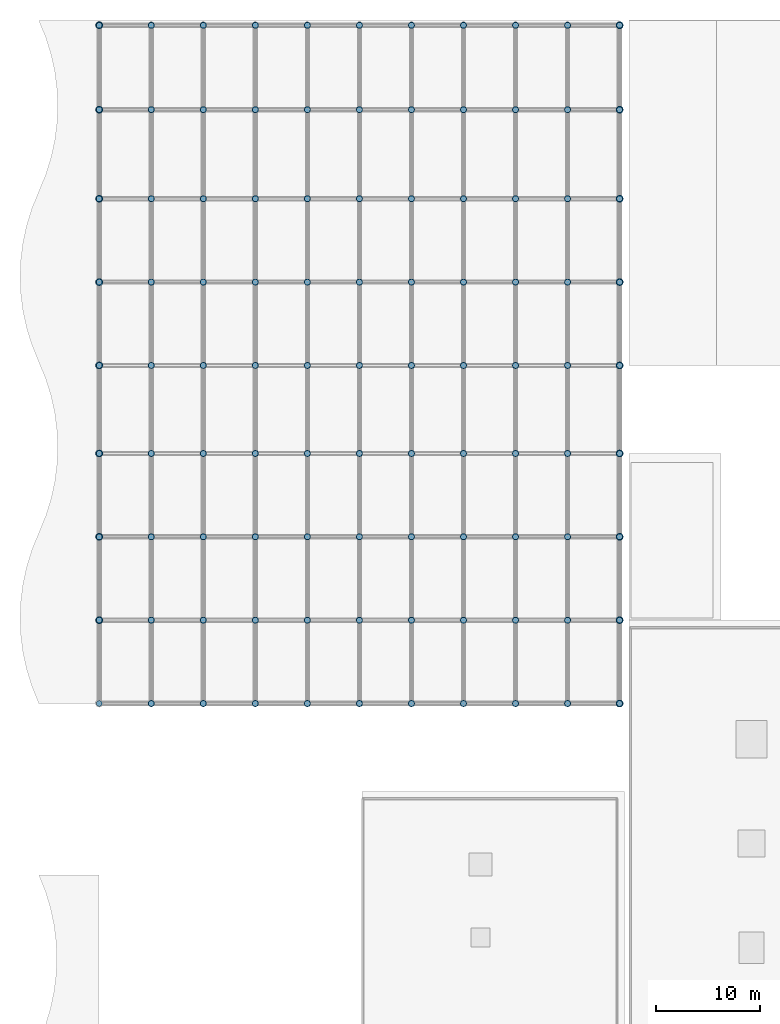
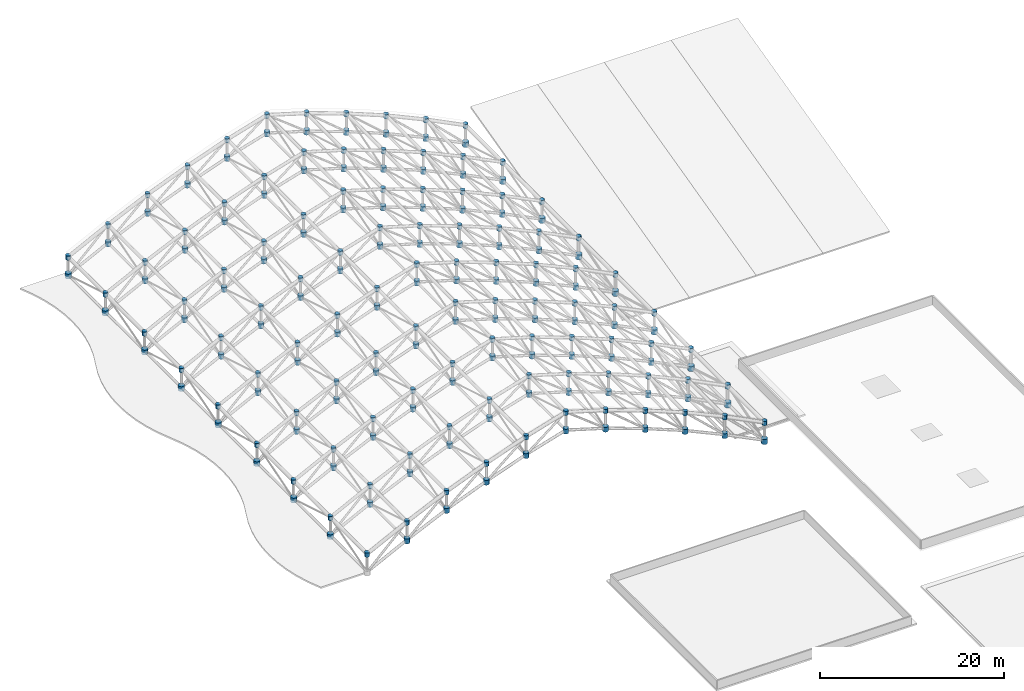
# One storey, part 11 of 11: 197 discrete accessories.
"""IFC4 building model written with IfcOpenShell, lengths in metres."""

from ifc_helpers import new_model, si_unit, direction, frame, origin, origin_2d, place, context, subcontext, project, spatial, circle, extrude, material, material_profile, profile_set, type_object, element, save


model = new_model("IFC4")

# Units and contexts
model_context = context("Model", 3, precision=1e-05, world=origin(), true_north=direction((0.0, 1.0)))
body_context = subcontext(model_context, "Body", "Model", "MODEL_VIEW")
ifc_project = project(units=[si_unit("LENGTHUNIT", "METRE"), si_unit("AREAUNIT", "SQUARE_METRE"), si_unit("VOLUMEUNIT", "CUBIC_METRE"), si_unit("PLANEANGLEUNIT", "RADIAN"), si_unit("MASSUNIT", "GRAM", prefix="KILO")], contexts=[model_context])

# Site, building, storey
site_placement = place(None, origin())
site = spatial("IfcSite", under=ifc_project, at=site_placement, CompositionType="ELEMENT")
building_placement = place(site_placement, origin())
building = spatial("IfcBuilding", under=site, at=building_placement, Name="Kazehara Bluff Congress Hotel", CompositionType="ELEMENT")
storey_placement = place(building_placement, frame((0.0, 0.0, 50.39990234375)))
storey = spatial("IfcBuildingStorey", under=building, at=storey_placement, Name="RF", CompositionType="ELEMENT", Elevation=50.39990234375)

# Discrete accessories
ifc_material_1 = material(Name="Steel SN490B", Category="steel")
ifc_material_profile_1 = material_profile(ifc_material_1, circle(Radius=0.280029296875, at=origin_2d()))
ifc_profile_set_1 = profile_set([ifc_material_profile_1], Name="Steel SN490B")
discrete_accessory_type_1 = type_object("IfcDiscreteAccessoryType", Name="TP-SFN-01", PredefinedType="BRACKET", material=ifc_profile_set_1)
for number, where, z_axis, x_axis, name in (
    (1, (8.39990234375, 48.449951171875, -28.47998046875), (0.0, 0.0, 1.0), (1.0, 0.0, 0.0), "Space frame node SFN-01 T-00-00"),
    (2, (8.39990234375, 56.449951171875, -28.47998046875), (0.0, 0.0, 1.0), (1.0, 0.0, 0.0), "Space frame node SFN-01 T-00-01"),
    (3, (8.39990234375, 64.449951171875, -28.47998046875), (0.0, 0.0, 1.0), (1.0, 0.0, 0.0), "Space frame node SFN-01 T-00-02"),
    (4, (8.39990234375, 72.449951171875, -28.47998046875), (0.0, 0.0, 1.0), (1.0, 0.0, 0.0), "Space frame node SFN-01 T-00-03"),
    (5, (8.39990234375, 80.89990234375, -28.47998046875), (0.0, 0.0, 1.0), (1.0, 0.0, 0.0), "Space frame node SFN-01 T-00-04"),
    (6, (8.39990234375, 88.89990234375, -28.47998046875), (0.0, 0.0, 1.0), (1.0, 0.0, 0.0), "Space frame node SFN-01 T-00-05"),
    (7, (8.39990234375, 96.89990234375, -28.47998046875), (0.0, 0.0, 1.0), (1.0, 0.0, 0.0), "Space frame node SFN-01 T-00-06"),
    (8, (8.39990234375, 105.449951171875, -28.47998046875), (0.0, 0.0, 1.0), (1.0, 0.0, 0.0), "Space frame node SFN-01 T-00-07"),
    (9, (8.39990234375, 113.550048828125, -28.47998046875), (0.0, 0.0, 1.0), (1.0, 0.0, 0.0), "Space frame node SFN-01 T-00-08"),
    (10, (13.39501953125, 48.449951171875, -25.97998046875), (0.0, 0.0, 1.0), (1.0, 0.0, 0.0), "Space frame node SFN-01 T-01-00"),
    (11, (13.39501953125, 56.449951171875, -25.97998046875), (0.0, 0.0, 1.0), (1.0, 0.0, 0.0), "Space frame node SFN-01 T-01-01"),
    (12, (13.39501953125, 64.449951171875, -25.97998046875), (0.0, 0.0, 1.0), (1.0, 0.0, 0.0), "Space frame node SFN-01 T-01-02"),
    (13, (13.39501953125, 72.449951171875, -25.97998046875), (0.0, 0.0, 1.0), (1.0, 0.0, 0.0), "Space frame node SFN-01 T-01-03"),
    (14, (13.39501953125, 80.89990234375, -25.97998046875), (0.0, 0.0, 1.0), (1.0, 0.0, 0.0), "Space frame node SFN-01 T-01-04"),
    (15, (13.39501953125, 88.89990234375, -25.97998046875), (0.0, 0.0, 1.0), (1.0, 0.0, 0.0), "Space frame node SFN-01 T-01-05"),
    (16, (13.39501953125, 96.89990234375, -25.97998046875), (0.0, 0.0, 1.0), (1.0, 0.0, 0.0), "Space frame node SFN-01 T-01-06"),
    (17, (13.39501953125, 105.449951171875, -25.97998046875), (0.0, 0.0, 1.0), (1.0, 0.0, 0.0), "Space frame node SFN-01 T-01-07"),
    (18, (13.39501953125, 113.550048828125, -25.97998046875), (0.0, 0.0, 1.0), (1.0, 0.0, 0.0), "Space frame node SFN-01 T-01-08"),
    (19, (18.389892578125, 48.449951171875, -23.679931640625), (0.0, 0.0, 1.0), (1.0, 0.0, 0.0), "Space frame node SFN-01 T-02-00"),
    (20, (18.389892578125, 56.449951171875, -23.679931640625), (0.0, 0.0, 1.0), (1.0, 0.0, 0.0), "Space frame node SFN-01 T-02-01"),
    (21, (18.389892578125, 64.449951171875, -23.679931640625), (0.0, 0.0, 1.0), (1.0, 0.0, 0.0), "Space frame node SFN-01 T-02-02"),
    (22, (18.389892578125, 72.449951171875, -23.679931640625), (0.0, 0.0, 1.0), (1.0, 0.0, 0.0), "Space frame node SFN-01 T-02-03"),
    (23, (18.389892578125, 80.89990234375, -23.679931640625), (0.0, 0.0, 1.0), (1.0, 0.0, 0.0), "Space frame node SFN-01 T-02-04"),
    (24, (18.389892578125, 88.89990234375, -23.679931640625), (0.0, 0.0, 1.0), (1.0, 0.0, 0.0), "Space frame node SFN-01 T-02-05"),
    (25, (18.389892578125, 96.89990234375, -23.679931640625), (0.0, 0.0, 1.0), (1.0, 0.0, 0.0), "Space frame node SFN-01 T-02-06"),
    (26, (18.389892578125, 105.449951171875, -23.679931640625), (0.0, 0.0, 1.0), (1.0, 0.0, 0.0), "Space frame node SFN-01 T-02-07"),
    (27, (18.389892578125, 113.550048828125, -23.679931640625), (0.0, 0.0, 1.0), (1.0, 0.0, 0.0), "Space frame node SFN-01 T-02-08"),
    (28, (23.385009765625, 48.449951171875, -21.679931640625), (0.0, 0.0, 1.0), (1.0, 0.0, 0.0), "Space frame node SFN-01 T-03-00"),
    (29, (23.385009765625, 56.449951171875, -21.679931640625), (0.0, 0.0, 1.0), (1.0, 0.0, 0.0), "Space frame node SFN-01 T-03-01"),
    (30, (23.385009765625, 64.449951171875, -21.679931640625), (0.0, 0.0, 1.0), (1.0, 0.0, 0.0), "Space frame node SFN-01 T-03-02"),
    (31, (23.385009765625, 72.449951171875, -21.679931640625), (0.0, 0.0, 1.0), (1.0, 0.0, 0.0), "Space frame node SFN-01 T-03-03"),
    (32, (23.385009765625, 80.89990234375, -21.679931640625), (0.0, 0.0, 1.0), (1.0, 0.0, 0.0), "Space frame node SFN-01 T-03-04"),
    (33, (23.385009765625, 88.89990234375, -21.679931640625), (0.0, 0.0, 1.0), (1.0, 0.0, 0.0), "Space frame node SFN-01 T-03-05"),
    (34, (23.385009765625, 96.89990234375, -21.679931640625), (0.0, 0.0, 1.0), (1.0, 0.0, 0.0), "Space frame node SFN-01 T-03-06"),
    (35, (23.385009765625, 105.449951171875, -21.679931640625), (0.0, 0.0, 1.0), (1.0, 0.0, 0.0), "Space frame node SFN-01 T-03-07"),
    (36, (23.385009765625, 113.550048828125, -21.679931640625), (0.0, 0.0, 1.0), (1.0, 0.0, 0.0), "Space frame node SFN-01 T-03-08"),
    (37, (28.3798828125, 48.449951171875, -19.8798828125), (0.0, 0.0, 1.0), (1.0, 0.0, 0.0), "Space frame node SFN-01 T-04-00"),
    (38, (28.3798828125, 56.449951171875, -19.8798828125), (0.0, 0.0, 1.0), (1.0, 0.0, 0.0), "Space frame node SFN-01 T-04-01"),
    (39, (28.3798828125, 64.449951171875, -19.8798828125), (0.0, 0.0, 1.0), (1.0, 0.0, 0.0), "Space frame node SFN-01 T-04-02"),
    (40, (28.3798828125, 72.449951171875, -19.8798828125), (0.0, 0.0, 1.0), (1.0, 0.0, 0.0), "Space frame node SFN-01 T-04-03"),
    (41, (28.3798828125, 80.89990234375, -19.8798828125), (0.0, 0.0, 1.0), (1.0, 0.0, 0.0), "Space frame node SFN-01 T-04-04"),
    (42, (28.3798828125, 88.89990234375, -19.8798828125), (0.0, 0.0, 1.0), (1.0, 0.0, 0.0), "Space frame node SFN-01 T-04-05"),
    (43, (28.3798828125, 96.89990234375, -19.8798828125), (0.0, 0.0, 1.0), (1.0, 0.0, 0.0), "Space frame node SFN-01 T-04-06"),
    (44, (28.3798828125, 105.449951171875, -19.8798828125), (0.0, 0.0, 1.0), (1.0, 0.0, 0.0), "Space frame node SFN-01 T-04-07"),
    (45, (28.3798828125, 113.550048828125, -19.8798828125), (0.0, 0.0, 1.0), (1.0, 0.0, 0.0), "Space frame node SFN-01 T-04-08"),
    (46, (33.375, 48.449951171875, -18.3798828125), (0.0, 0.0, 1.0), (1.0, 0.0, 0.0), "Space frame node SFN-01 T-05-00"),
    (47, (33.375, 56.449951171875, -18.3798828125), (0.0, 0.0, 1.0), (1.0, 0.0, 0.0), "Space frame node SFN-01 T-05-01"),
    (48, (33.375, 64.449951171875, -18.3798828125), (0.0, 0.0, 1.0), (1.0, 0.0, 0.0), "Space frame node SFN-01 T-05-02"),
    (49, (33.375, 72.449951171875, -18.3798828125), (0.0, 0.0, 1.0), (1.0, 0.0, 0.0), "Space frame node SFN-01 T-05-03"),
    (50, (33.375, 80.89990234375, -18.3798828125), (0.0, 0.0, 1.0), (1.0, 0.0, 0.0), "Space frame node SFN-01 T-05-04"),
    (51, (33.375, 88.89990234375, -18.3798828125), (0.0, 0.0, 1.0), (1.0, 0.0, 0.0), "Space frame node SFN-01 T-05-05"),
    (52, (33.375, 96.89990234375, -18.3798828125), (0.0, 0.0, 1.0), (1.0, 0.0, 0.0), "Space frame node SFN-01 T-05-06"),
    (53, (33.375, 105.449951171875, -18.3798828125), (0.0, 0.0, 1.0), (1.0, 0.0, 0.0), "Space frame node SFN-01 T-05-07"),
    (54, (33.375, 113.550048828125, -18.3798828125), (0.0, 0.0, 1.0), (1.0, 0.0, 0.0), "Space frame node SFN-01 T-05-08"),
    (55, (38.3701171875, 48.449951171875, -19.8798828125), (0.0, 0.0, 1.0), (1.0, 0.0, 0.0), "Space frame node SFN-01 T-06-00"),
    (56, (38.3701171875, 56.449951171875, -19.8798828125), (0.0, 0.0, 1.0), (1.0, 0.0, 0.0), "Space frame node SFN-01 T-06-01"),
    (57, (38.3701171875, 64.449951171875, -19.8798828125), (0.0, 0.0, 1.0), (1.0, 0.0, 0.0), "Space frame node SFN-01 T-06-02"),
    (58, (38.3701171875, 72.449951171875, -19.8798828125), (0.0, 0.0, 1.0), (1.0, 0.0, 0.0), "Space frame node SFN-01 T-06-03"),
    (59, (38.3701171875, 80.89990234375, -19.8798828125), (0.0, 0.0, 1.0), (1.0, 0.0, 0.0), "Space frame node SFN-01 T-06-04"),
    (60, (38.3701171875, 88.89990234375, -19.8798828125), (0.0, 0.0, 1.0), (1.0, 0.0, 0.0), "Space frame node SFN-01 T-06-05"),
    (61, (38.3701171875, 96.89990234375, -19.8798828125), (0.0, 0.0, 1.0), (1.0, 0.0, 0.0), "Space frame node SFN-01 T-06-06"),
    (62, (38.3701171875, 105.449951171875, -19.8798828125), (0.0, 0.0, 1.0), (1.0, 0.0, 0.0), "Space frame node SFN-01 T-06-07"),
    (63, (38.3701171875, 113.550048828125, -19.8798828125), (0.0, 0.0, 1.0), (1.0, 0.0, 0.0), "Space frame node SFN-01 T-06-08"),
    (64, (43.364990234375, 48.449951171875, -21.679931640625), (0.0, 0.0, 1.0), (1.0, 0.0, 0.0), "Space frame node SFN-01 T-07-00"),
    (65, (43.364990234375, 56.449951171875, -21.679931640625), (0.0, 0.0, 1.0), (1.0, 0.0, 0.0), "Space frame node SFN-01 T-07-01"),
    (66, (43.364990234375, 64.449951171875, -21.679931640625), (0.0, 0.0, 1.0), (1.0, 0.0, 0.0), "Space frame node SFN-01 T-07-02"),
    (67, (43.364990234375, 72.449951171875, -21.679931640625), (0.0, 0.0, 1.0), (1.0, 0.0, 0.0), "Space frame node SFN-01 T-07-03"),
    (68, (43.364990234375, 80.89990234375, -21.679931640625), (0.0, 0.0, 1.0), (1.0, 0.0, 0.0), "Space frame node SFN-01 T-07-04"),
    (69, (43.364990234375, 88.89990234375, -21.679931640625), (0.0, 0.0, 1.0), (1.0, 0.0, 0.0), "Space frame node SFN-01 T-07-05"),
    (70, (43.364990234375, 96.89990234375, -21.679931640625), (0.0, 0.0, 1.0), (1.0, 0.0, 0.0), "Space frame node SFN-01 T-07-06"),
    (71, (43.364990234375, 105.449951171875, -21.679931640625), (0.0, 0.0, 1.0), (1.0, 0.0, 0.0), "Space frame node SFN-01 T-07-07"),
    (72, (43.364990234375, 113.550048828125, -21.679931640625), (0.0, 0.0, 1.0), (1.0, 0.0, 0.0), "Space frame node SFN-01 T-07-08"),
    (73, (48.360107421875, 48.449951171875, -23.679931640625), (0.0, 0.0, 1.0), (1.0, 0.0, 0.0), "Space frame node SFN-01 T-08-00"),
    (74, (48.360107421875, 56.449951171875, -23.679931640625), (0.0, 0.0, 1.0), (1.0, 0.0, 0.0), "Space frame node SFN-01 T-08-01"),
    (75, (48.360107421875, 64.449951171875, -23.679931640625), (0.0, 0.0, 1.0), (1.0, 0.0, 0.0), "Space frame node SFN-01 T-08-02"),
    (76, (48.360107421875, 72.449951171875, -23.679931640625), (0.0, 0.0, 1.0), (1.0, 0.0, 0.0), "Space frame node SFN-01 T-08-03"),
    (77, (48.360107421875, 80.89990234375, -23.679931640625), (0.0, 0.0, 1.0), (1.0, 0.0, 0.0), "Space frame node SFN-01 T-08-04"),
    (78, (48.360107421875, 88.89990234375, -23.679931640625), (0.0, 0.0, 1.0), (1.0, 0.0, 0.0), "Space frame node SFN-01 T-08-05"),
    (79, (48.360107421875, 96.89990234375, -23.679931640625), (0.0, 0.0, 1.0), (1.0, 0.0, 0.0), "Space frame node SFN-01 T-08-06"),
    (80, (48.360107421875, 105.449951171875, -23.679931640625), (0.0, 0.0, 1.0), (1.0, 0.0, 0.0), "Space frame node SFN-01 T-08-07"),
    (81, (48.360107421875, 113.550048828125, -23.679931640625), (0.0, 0.0, 1.0), (1.0, 0.0, 0.0), "Space frame node SFN-01 T-08-08"),
    (82, (53.35498046875, 48.449951171875, -25.97998046875), (0.0, 0.0, 1.0), (1.0, 0.0, 0.0), "Space frame node SFN-01 T-09-00"),
    (83, (53.35498046875, 56.449951171875, -25.97998046875), (0.0, 0.0, 1.0), (1.0, 0.0, 0.0), "Space frame node SFN-01 T-09-01"),
    (84, (53.35498046875, 64.449951171875, -25.97998046875), (0.0, 0.0, 1.0), (1.0, 0.0, 0.0), "Space frame node SFN-01 T-09-02"),
    (85, (53.35498046875, 72.449951171875, -25.97998046875), (0.0, 0.0, 1.0), (1.0, 0.0, 0.0), "Space frame node SFN-01 T-09-03"),
    (86, (53.35498046875, 80.89990234375, -25.97998046875), (0.0, 0.0, 1.0), (1.0, 0.0, 0.0), "Space frame node SFN-01 T-09-04"),
    (87, (53.35498046875, 88.89990234375, -25.97998046875), (0.0, 0.0, 1.0), (1.0, 0.0, 0.0), "Space frame node SFN-01 T-09-05"),
    (88, (53.35498046875, 96.89990234375, -25.97998046875), (0.0, 0.0, 1.0), (1.0, 0.0, 0.0), "Space frame node SFN-01 T-09-06"),
    (89, (53.35498046875, 105.449951171875, -25.97998046875), (0.0, 0.0, 1.0), (1.0, 0.0, 0.0), "Space frame node SFN-01 T-09-07"),
    (90, (53.35498046875, 113.550048828125, -25.97998046875), (0.0, 0.0, 1.0), (1.0, 0.0, 0.0), "Space frame node SFN-01 T-09-08"),
    (91, (58.35009765625, 48.449951171875, -28.47998046875), (0.0, 0.0, 1.0), (1.0, 0.0, 0.0), "Space frame node SFN-01 T-10-00"),
    (92, (58.35009765625, 56.449951171875, -28.47998046875), (0.0, 0.0, 1.0), (1.0, 0.0, 0.0), "Space frame node SFN-01 T-10-01"),
    (93, (58.35009765625, 64.449951171875, -28.47998046875), (0.0, 0.0, 1.0), (1.0, 0.0, 0.0), "Space frame node SFN-01 T-10-02"),
    (94, (58.35009765625, 72.449951171875, -28.47998046875), (0.0, 0.0, 1.0), (1.0, 0.0, 0.0), "Space frame node SFN-01 T-10-03"),
    (95, (58.35009765625, 80.89990234375, -28.47998046875), (0.0, 0.0, 1.0), (1.0, 0.0, 0.0), "Space frame node SFN-01 T-10-04"),
    (96, (58.35009765625, 88.89990234375, -28.47998046875), (0.0, 0.0, 1.0), (1.0, 0.0, 0.0), "Space frame node SFN-01 T-10-05"),
    (97, (58.35009765625, 96.89990234375, -28.47998046875), (0.0, 0.0, 1.0), (1.0, 0.0, 0.0), "Space frame node SFN-01 T-10-06"),
    (98, (58.35009765625, 105.449951171875, -28.47998046875), (0.0, 0.0, 1.0), (1.0, 0.0, 0.0), "Space frame node SFN-01 T-10-07"),
    (99, (58.35009765625, 113.550048828125, -28.47998046875), (0.0, 0.0, 1.0), (1.0, 0.0, 0.0), "Space frame node SFN-01 T-10-08"),
):
    element("IfcDiscreteAccessory", number, at=place(storey_placement, frame(where, z_axis=z_axis, x_axis=x_axis)), inside=storey, type_object=discrete_accessory_type_1, Name=name, PredefinedType="BRACKET", context=body_context, shape_type="SweptSolid", body=[
        extrude(circle(Radius=0.280029296875, at=origin_2d()), origin(), (0.0, 0.0, 1.0), 0.56005859375),
    ])
ifc_material_2 = material(Name="Steel SN490B", Category="steel")
ifc_material_profile_2 = material_profile(ifc_material_2, circle(Radius=0.320068359375, at=origin_2d()))
ifc_profile_set_2 = profile_set([ifc_material_profile_2], Name="Steel SN490B")
discrete_accessory_type_2 = type_object("IfcDiscreteAccessoryType", Name="TP-SFN-02", PredefinedType="BRACKET", material=ifc_profile_set_2)
for number, where, z_axis, x_axis, name in (
    (100, (13.39501953125, 48.449951171875, -28.419921875), (0.0, 0.0, 1.0), (1.0, 0.0, 0.0), "Space frame node SFN-02 B-01-00"),
    (101, (13.39501953125, 56.449951171875, -28.419921875), (0.0, 0.0, 1.0), (1.0, 0.0, 0.0), "Space frame node SFN-02 B-01-01"),
    (102, (13.39501953125, 64.449951171875, -28.419921875), (0.0, 0.0, 1.0), (1.0, 0.0, 0.0), "Space frame node SFN-02 B-01-02"),
    (103, (13.39501953125, 72.449951171875, -28.419921875), (0.0, 0.0, 1.0), (1.0, 0.0, 0.0), "Space frame node SFN-02 B-01-03"),
    (104, (13.39501953125, 80.89990234375, -28.419921875), (0.0, 0.0, 1.0), (1.0, 0.0, 0.0), "Space frame node SFN-02 B-01-04"),
    (105, (13.39501953125, 88.89990234375, -28.419921875), (0.0, 0.0, 1.0), (1.0, 0.0, 0.0), "Space frame node SFN-02 B-01-05"),
    (106, (13.39501953125, 96.89990234375, -28.419921875), (0.0, 0.0, 1.0), (1.0, 0.0, 0.0), "Space frame node SFN-02 B-01-06"),
    (107, (13.39501953125, 105.449951171875, -28.419921875), (0.0, 0.0, 1.0), (1.0, 0.0, 0.0), "Space frame node SFN-02 B-01-07"),
    (108, (13.39501953125, 113.550048828125, -28.419921875), (0.0, 0.0, 1.0), (1.0, 0.0, 0.0), "Space frame node SFN-02 B-01-08"),
):
    element("IfcDiscreteAccessory", number, at=place(storey_placement, frame(where, z_axis=z_axis, x_axis=x_axis)), inside=storey, type_object=discrete_accessory_type_2, Name=name, PredefinedType="BRACKET", context=body_context, shape_type="SweptSolid", body=[
        extrude(circle(Radius=0.320068359375, at=origin_2d()), origin(), (0.0, 0.0, 1.0), 0.64013671875),
    ])
for number, where, z_axis, x_axis, name in (
    (109, (18.389892578125, 48.449951171875, -26.119873046875), (0.0, 0.0, 1.0), (1.0, 0.0, 0.0), "Space frame node SFN-02 B-02-00"),
    (110, (18.389892578125, 56.449951171875, -26.119873046875), (0.0, 0.0, 1.0), (1.0, 0.0, 0.0), "Space frame node SFN-02 B-02-01"),
    (111, (18.389892578125, 64.449951171875, -26.119873046875), (0.0, 0.0, 1.0), (1.0, 0.0, 0.0), "Space frame node SFN-02 B-02-02"),
    (112, (18.389892578125, 72.449951171875, -26.119873046875), (0.0, 0.0, 1.0), (1.0, 0.0, 0.0), "Space frame node SFN-02 B-02-03"),
    (113, (18.389892578125, 80.89990234375, -26.119873046875), (0.0, 0.0, 1.0), (1.0, 0.0, 0.0), "Space frame node SFN-02 B-02-04"),
    (114, (18.389892578125, 88.89990234375, -26.119873046875), (0.0, 0.0, 1.0), (1.0, 0.0, 0.0), "Space frame node SFN-02 B-02-05"),
    (115, (18.389892578125, 96.89990234375, -26.119873046875), (0.0, 0.0, 1.0), (1.0, 0.0, 0.0), "Space frame node SFN-02 B-02-06"),
    (116, (18.389892578125, 105.449951171875, -26.119873046875), (0.0, 0.0, 1.0), (1.0, 0.0, 0.0), "Space frame node SFN-02 B-02-07"),
    (117, (18.389892578125, 113.550048828125, -26.119873046875), (0.0, 0.0, 1.0), (1.0, 0.0, 0.0), "Space frame node SFN-02 B-02-08"),
    (118, (23.385009765625, 48.449951171875, -24.119873046875), (0.0, 0.0, 1.0), (1.0, 0.0, 0.0), "Space frame node SFN-02 B-03-00"),
    (119, (23.385009765625, 56.449951171875, -24.119873046875), (0.0, 0.0, 1.0), (1.0, 0.0, 0.0), "Space frame node SFN-02 B-03-01"),
    (120, (23.385009765625, 64.449951171875, -24.119873046875), (0.0, 0.0, 1.0), (1.0, 0.0, 0.0), "Space frame node SFN-02 B-03-02"),
    (121, (23.385009765625, 72.449951171875, -24.119873046875), (0.0, 0.0, 1.0), (1.0, 0.0, 0.0), "Space frame node SFN-02 B-03-03"),
    (122, (23.385009765625, 80.89990234375, -24.119873046875), (0.0, 0.0, 1.0), (1.0, 0.0, 0.0), "Space frame node SFN-02 B-03-04"),
    (123, (23.385009765625, 88.89990234375, -24.119873046875), (0.0, 0.0, 1.0), (1.0, 0.0, 0.0), "Space frame node SFN-02 B-03-05"),
    (124, (23.385009765625, 96.89990234375, -24.119873046875), (0.0, 0.0, 1.0), (1.0, 0.0, 0.0), "Space frame node SFN-02 B-03-06"),
    (125, (23.385009765625, 105.449951171875, -24.119873046875), (0.0, 0.0, 1.0), (1.0, 0.0, 0.0), "Space frame node SFN-02 B-03-07"),
    (126, (23.385009765625, 113.550048828125, -24.119873046875), (0.0, 0.0, 1.0), (1.0, 0.0, 0.0), "Space frame node SFN-02 B-03-08"),
    (127, (28.3798828125, 48.449951171875, -22.31982421875), (0.0, 0.0, 1.0), (1.0, 0.0, 0.0), "Space frame node SFN-02 B-04-00"),
    (128, (28.3798828125, 56.449951171875, -22.31982421875), (0.0, 0.0, 1.0), (1.0, 0.0, 0.0), "Space frame node SFN-02 B-04-01"),
    (129, (28.3798828125, 64.449951171875, -22.31982421875), (0.0, 0.0, 1.0), (1.0, 0.0, 0.0), "Space frame node SFN-02 B-04-02"),
    (130, (28.3798828125, 72.449951171875, -22.31982421875), (0.0, 0.0, 1.0), (1.0, 0.0, 0.0), "Space frame node SFN-02 B-04-03"),
    (131, (28.3798828125, 80.89990234375, -22.31982421875), (0.0, 0.0, 1.0), (1.0, 0.0, 0.0), "Space frame node SFN-02 B-04-04"),
    (132, (28.3798828125, 88.89990234375, -22.31982421875), (0.0, 0.0, 1.0), (1.0, 0.0, 0.0), "Space frame node SFN-02 B-04-05"),
    (133, (28.3798828125, 96.89990234375, -22.31982421875), (0.0, 0.0, 1.0), (1.0, 0.0, 0.0), "Space frame node SFN-02 B-04-06"),
    (134, (28.3798828125, 105.449951171875, -22.31982421875), (0.0, 0.0, 1.0), (1.0, 0.0, 0.0), "Space frame node SFN-02 B-04-07"),
    (135, (28.3798828125, 113.550048828125, -22.31982421875), (0.0, 0.0, 1.0), (1.0, 0.0, 0.0), "Space frame node SFN-02 B-04-08"),
    (136, (33.375, 48.449951171875, -20.81982421875), (0.0, 0.0, 1.0), (1.0, 0.0, 0.0), "Space frame node SFN-02 B-05-00"),
    (137, (33.375, 56.449951171875, -20.81982421875), (0.0, 0.0, 1.0), (1.0, 0.0, 0.0), "Space frame node SFN-02 B-05-01"),
    (138, (33.375, 64.449951171875, -20.81982421875), (0.0, 0.0, 1.0), (1.0, 0.0, 0.0), "Space frame node SFN-02 B-05-02"),
    (139, (33.375, 72.449951171875, -20.81982421875), (0.0, 0.0, 1.0), (1.0, 0.0, 0.0), "Space frame node SFN-02 B-05-03"),
    (140, (33.375, 80.89990234375, -20.81982421875), (0.0, 0.0, 1.0), (1.0, 0.0, 0.0), "Space frame node SFN-02 B-05-04"),
    (141, (33.375, 88.89990234375, -20.81982421875), (0.0, 0.0, 1.0), (1.0, 0.0, 0.0), "Space frame node SFN-02 B-05-05"),
    (142, (33.375, 96.89990234375, -20.81982421875), (0.0, 0.0, 1.0), (1.0, 0.0, 0.0), "Space frame node SFN-02 B-05-06"),
    (143, (33.375, 105.449951171875, -20.81982421875), (0.0, 0.0, 1.0), (1.0, 0.0, 0.0), "Space frame node SFN-02 B-05-07"),
    (144, (33.375, 113.550048828125, -20.81982421875), (0.0, 0.0, 1.0), (1.0, 0.0, 0.0), "Space frame node SFN-02 B-05-08"),
    (145, (38.3701171875, 48.449951171875, -22.31982421875), (0.0, 0.0, 1.0), (1.0, 0.0, 0.0), "Space frame node SFN-02 B-06-00"),
    (146, (38.3701171875, 56.449951171875, -22.31982421875), (0.0, 0.0, 1.0), (1.0, 0.0, 0.0), "Space frame node SFN-02 B-06-01"),
    (147, (38.3701171875, 64.449951171875, -22.31982421875), (0.0, 0.0, 1.0), (1.0, 0.0, 0.0), "Space frame node SFN-02 B-06-02"),
    (148, (38.3701171875, 72.449951171875, -22.31982421875), (0.0, 0.0, 1.0), (1.0, 0.0, 0.0), "Space frame node SFN-02 B-06-03"),
    (149, (38.3701171875, 80.89990234375, -22.31982421875), (0.0, 0.0, 1.0), (1.0, 0.0, 0.0), "Space frame node SFN-02 B-06-04"),
    (150, (38.3701171875, 88.89990234375, -22.31982421875), (0.0, 0.0, 1.0), (1.0, 0.0, 0.0), "Space frame node SFN-02 B-06-05"),
    (151, (38.3701171875, 96.89990234375, -22.31982421875), (0.0, 0.0, 1.0), (1.0, 0.0, 0.0), "Space frame node SFN-02 B-06-06"),
    (152, (38.3701171875, 105.449951171875, -22.31982421875), (0.0, 0.0, 1.0), (1.0, 0.0, 0.0), "Space frame node SFN-02 B-06-07"),
    (153, (38.3701171875, 113.550048828125, -22.31982421875), (0.0, 0.0, 1.0), (1.0, 0.0, 0.0), "Space frame node SFN-02 B-06-08"),
    (154, (43.364990234375, 48.449951171875, -24.119873046875), (0.0, 0.0, 1.0), (1.0, 0.0, 0.0), "Space frame node SFN-02 B-07-00"),
    (155, (43.364990234375, 56.449951171875, -24.119873046875), (0.0, 0.0, 1.0), (1.0, 0.0, 0.0), "Space frame node SFN-02 B-07-01"),
    (156, (43.364990234375, 64.449951171875, -24.119873046875), (0.0, 0.0, 1.0), (1.0, 0.0, 0.0), "Space frame node SFN-02 B-07-02"),
    (157, (43.364990234375, 72.449951171875, -24.119873046875), (0.0, 0.0, 1.0), (1.0, 0.0, 0.0), "Space frame node SFN-02 B-07-03"),
    (158, (43.364990234375, 80.89990234375, -24.119873046875), (0.0, 0.0, 1.0), (1.0, 0.0, 0.0), "Space frame node SFN-02 B-07-04"),
    (159, (43.364990234375, 88.89990234375, -24.119873046875), (0.0, 0.0, 1.0), (1.0, 0.0, 0.0), "Space frame node SFN-02 B-07-05"),
    (160, (43.364990234375, 96.89990234375, -24.119873046875), (0.0, 0.0, 1.0), (1.0, 0.0, 0.0), "Space frame node SFN-02 B-07-06"),
    (161, (43.364990234375, 105.449951171875, -24.119873046875), (0.0, 0.0, 1.0), (1.0, 0.0, 0.0), "Space frame node SFN-02 B-07-07"),
    (162, (43.364990234375, 113.550048828125, -24.119873046875), (0.0, 0.0, 1.0), (1.0, 0.0, 0.0), "Space frame node SFN-02 B-07-08"),
    (163, (48.360107421875, 48.449951171875, -26.119873046875), (0.0, 0.0, 1.0), (1.0, 0.0, 0.0), "Space frame node SFN-02 B-08-00"),
    (164, (48.360107421875, 56.449951171875, -26.119873046875), (0.0, 0.0, 1.0), (1.0, 0.0, 0.0), "Space frame node SFN-02 B-08-01"),
    (165, (48.360107421875, 64.449951171875, -26.119873046875), (0.0, 0.0, 1.0), (1.0, 0.0, 0.0), "Space frame node SFN-02 B-08-02"),
    (166, (48.360107421875, 72.449951171875, -26.119873046875), (0.0, 0.0, 1.0), (1.0, 0.0, 0.0), "Space frame node SFN-02 B-08-03"),
    (167, (48.360107421875, 80.89990234375, -26.119873046875), (0.0, 0.0, 1.0), (1.0, 0.0, 0.0), "Space frame node SFN-02 B-08-04"),
    (168, (48.360107421875, 88.89990234375, -26.119873046875), (0.0, 0.0, 1.0), (1.0, 0.0, 0.0), "Space frame node SFN-02 B-08-05"),
    (169, (48.360107421875, 96.89990234375, -26.119873046875), (0.0, 0.0, 1.0), (1.0, 0.0, 0.0), "Space frame node SFN-02 B-08-06"),
    (170, (48.360107421875, 105.449951171875, -26.119873046875), (0.0, 0.0, 1.0), (1.0, 0.0, 0.0), "Space frame node SFN-02 B-08-07"),
    (171, (48.360107421875, 113.550048828125, -26.119873046875), (0.0, 0.0, 1.0), (1.0, 0.0, 0.0), "Space frame node SFN-02 B-08-08"),
):
    element("IfcDiscreteAccessory", number, at=place(storey_placement, frame(where, z_axis=z_axis, x_axis=x_axis)), inside=storey, type_object=discrete_accessory_type_2, Name=name, PredefinedType="BRACKET", context=body_context, shape_type="SweptSolid", body=[
        extrude(circle(Radius=0.320068359375, at=origin_2d()), origin(), (0.0, 0.0, 1.0), 0.639892578125),
    ])
for number, where, z_axis, x_axis, name in (
    (172, (53.35498046875, 48.449951171875, -28.419921875), (0.0, 0.0, 1.0), (1.0, 0.0, 0.0), "Space frame node SFN-02 B-09-00"),
    (173, (53.35498046875, 56.449951171875, -28.419921875), (0.0, 0.0, 1.0), (1.0, 0.0, 0.0), "Space frame node SFN-02 B-09-01"),
    (174, (53.35498046875, 64.449951171875, -28.419921875), (0.0, 0.0, 1.0), (1.0, 0.0, 0.0), "Space frame node SFN-02 B-09-02"),
    (175, (53.35498046875, 72.449951171875, -28.419921875), (0.0, 0.0, 1.0), (1.0, 0.0, 0.0), "Space frame node SFN-02 B-09-03"),
    (176, (53.35498046875, 80.89990234375, -28.419921875), (0.0, 0.0, 1.0), (1.0, 0.0, 0.0), "Space frame node SFN-02 B-09-04"),
    (177, (53.35498046875, 88.89990234375, -28.419921875), (0.0, 0.0, 1.0), (1.0, 0.0, 0.0), "Space frame node SFN-02 B-09-05"),
    (178, (53.35498046875, 96.89990234375, -28.419921875), (0.0, 0.0, 1.0), (1.0, 0.0, 0.0), "Space frame node SFN-02 B-09-06"),
    (179, (53.35498046875, 105.449951171875, -28.419921875), (0.0, 0.0, 1.0), (1.0, 0.0, 0.0), "Space frame node SFN-02 B-09-07"),
    (180, (53.35498046875, 113.550048828125, -28.419921875), (0.0, 0.0, 1.0), (1.0, 0.0, 0.0), "Space frame node SFN-02 B-09-08"),
):
    element("IfcDiscreteAccessory", number, at=place(storey_placement, frame(where, z_axis=z_axis, x_axis=x_axis)), inside=storey, type_object=discrete_accessory_type_2, Name=name, PredefinedType="BRACKET", context=body_context, shape_type="SweptSolid", body=[
        extrude(circle(Radius=0.320068359375, at=origin_2d()), origin(), (0.0, 0.0, 1.0), 0.64013671875),
    ])
ifc_material_3 = material(Name="Steel SN490B", Category="steel")
ifc_material_profile_3 = material_profile(ifc_material_3, circle(Radius=0.360107421875, at=origin_2d()))
ifc_profile_set_3 = profile_set([ifc_material_profile_3], Name="Steel SN490B")
discrete_accessory_type_3 = type_object("IfcDiscreteAccessoryType", Name="TP-SFN-03", PredefinedType="BRACKET", material=ifc_profile_set_3)
for number, where, z_axis, x_axis, name in (
    (181, (8.39990234375, 56.449951171875, -30.919921875), (0.0, 0.0, 1.0), (1.0, 0.0, 0.0), "Space frame node SFN-03 B-00-01"),
    (182, (8.39990234375, 64.449951171875, -30.919921875), (0.0, 0.0, 1.0), (1.0, 0.0, 0.0), "Space frame node SFN-03 B-00-02"),
    (183, (8.39990234375, 72.449951171875, -30.919921875), (0.0, 0.0, 1.0), (1.0, 0.0, 0.0), "Space frame node SFN-03 B-00-03"),
    (184, (8.39990234375, 80.89990234375, -30.919921875), (0.0, 0.0, 1.0), (1.0, 0.0, 0.0), "Space frame node SFN-03 B-00-04"),
    (185, (8.39990234375, 88.89990234375, -30.919921875), (0.0, 0.0, 1.0), (1.0, 0.0, 0.0), "Space frame node SFN-03 B-00-05"),
    (186, (8.39990234375, 96.89990234375, -30.919921875), (0.0, 0.0, 1.0), (1.0, 0.0, 0.0), "Space frame node SFN-03 B-00-06"),
    (187, (8.39990234375, 105.449951171875, -30.919921875), (0.0, 0.0, 1.0), (1.0, 0.0, 0.0), "Space frame node SFN-03 B-00-07"),
    (188, (8.39990234375, 113.550048828125, -30.919921875), (0.0, 0.0, 1.0), (1.0, 0.0, 0.0), "Space frame node SFN-03 B-00-08"),
    (189, (58.35009765625, 48.449951171875, -30.919921875), (0.0, 0.0, 1.0), (1.0, 0.0, 0.0), "Space frame node SFN-03 B-10-00"),
    (190, (58.35009765625, 56.449951171875, -30.919921875), (0.0, 0.0, 1.0), (1.0, 0.0, 0.0), "Space frame node SFN-03 B-10-01"),
    (191, (58.35009765625, 64.449951171875, -30.919921875), (0.0, 0.0, 1.0), (1.0, 0.0, 0.0), "Space frame node SFN-03 B-10-02"),
    (192, (58.35009765625, 72.449951171875, -30.919921875), (0.0, 0.0, 1.0), (1.0, 0.0, 0.0), "Space frame node SFN-03 B-10-03"),
    (193, (58.35009765625, 80.89990234375, -30.919921875), (0.0, 0.0, 1.0), (1.0, 0.0, 0.0), "Space frame node SFN-03 B-10-04"),
    (194, (58.35009765625, 88.89990234375, -30.919921875), (0.0, 0.0, 1.0), (1.0, 0.0, 0.0), "Space frame node SFN-03 B-10-05"),
    (195, (58.35009765625, 96.89990234375, -30.919921875), (0.0, 0.0, 1.0), (1.0, 0.0, 0.0), "Space frame node SFN-03 B-10-06"),
    (196, (58.35009765625, 105.449951171875, -30.919921875), (0.0, 0.0, 1.0), (1.0, 0.0, 0.0), "Space frame node SFN-03 B-10-07"),
    (197, (58.35009765625, 113.550048828125, -30.919921875), (0.0, 0.0, 1.0), (1.0, 0.0, 0.0), "Space frame node SFN-03 B-10-08"),
):
    element("IfcDiscreteAccessory", number, at=place(storey_placement, frame(where, z_axis=z_axis, x_axis=x_axis)), inside=storey, type_object=discrete_accessory_type_3, Name=name, PredefinedType="BRACKET", context=body_context, shape_type="SweptSolid", body=[
        extrude(circle(Radius=0.360107421875, at=origin_2d()), origin(), (0.0, 0.0, 1.0), 0.64013671875),
    ])

save(model, "model.ifc")
